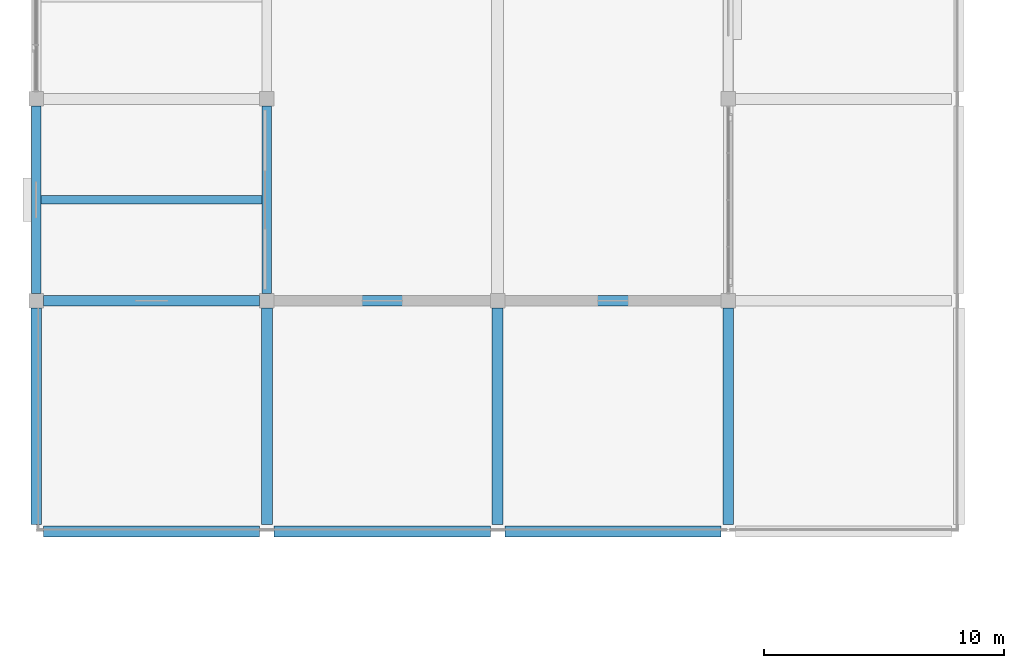
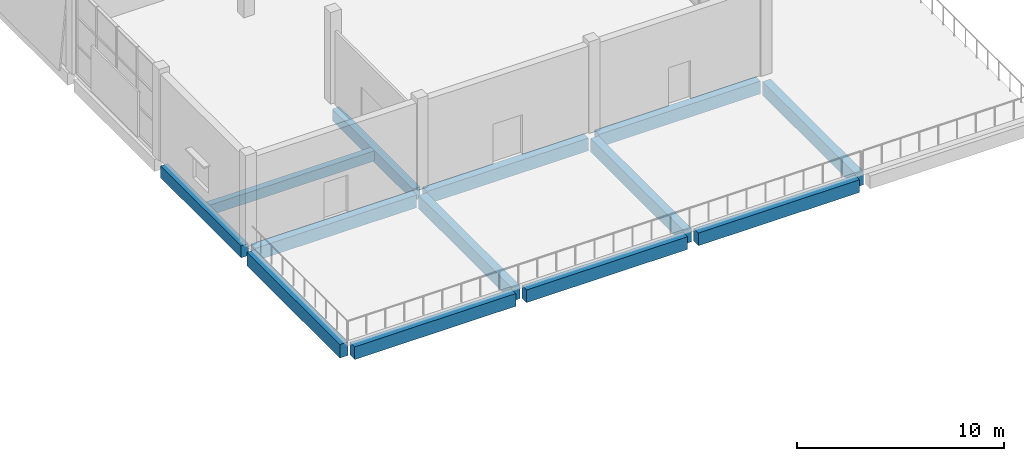
# One storey, part 14 of 72: 13 beams.
"""IFC4 building model written with IfcOpenShell, lengths in metres."""

from ifc_helpers import new_model, si_unit, direction, frame, origin, origin_2d, place, context, subcontext, project, spatial, rectangle, extrude, material, material_profile, profile_set, type_object, element, save


model = new_model("IFC4")

# Units and contexts
model_context = context("Model", 3, precision=1e-05, world=origin(), true_north=direction((0.0, 1.0)))
body_context = subcontext(model_context, "Body", "Model", "MODEL_VIEW")
ifc_project = project(units=[si_unit("LENGTHUNIT", "METRE"), si_unit("AREAUNIT", "SQUARE_METRE"), si_unit("VOLUMEUNIT", "CUBIC_METRE"), si_unit("PLANEANGLEUNIT", "RADIAN"), si_unit("MASSUNIT", "GRAM", prefix="KILO")], contexts=[model_context])

# Site, building, storey
site_placement = place(None, origin())
site = spatial("IfcSite", under=ifc_project, at=site_placement, CompositionType="ELEMENT")
building_placement = place(site_placement, origin())
building = spatial("IfcBuilding", under=site, at=building_placement, Name="Shalvenor Court Art Gallery", CompositionType="ELEMENT")
storey_placement = place(building_placement, frame((0.0, 0.0, 11.39990234375)))
storey = spatial("IfcBuildingStorey", under=building, at=storey_placement, Name="L02", CompositionType="ELEMENT", Elevation=11.39990234375)

# Beams
ifc_material_1 = material(Name="Concrete C40/50", Category="concrete")
ifc_material_profile_1 = material_profile(ifc_material_1, rectangle(XDim=0.449951171875, YDim=0.800048828125, at=origin_2d()), Name="RC 450x800")
ifc_profile_set_1 = profile_set([ifc_material_profile_1], Name="Concrete C40/50")
beam_type_1 = type_object("IfcBeamType", Name="B-03", PredefinedType="BEAM", material=ifc_profile_set_1)
for number, where, z_axis, x_axis, name in (
    (1, (0.0, 79.5, -0.719970703125), (0.0, 1.0, 0.0), (-1.0, 0.0, 0.0), "L02 Girder BM-L02-B-03-0690"),
    (2, (9.60009765625, 79.5, -0.719970703125), (0.0, 1.0, 0.0), (-1.0, 0.0, 0.0), "L02 Girder BM-L02-B-03-0697"),
    (3, (19.199951171875, 79.5, -0.719970703125), (0.0, 1.0, 0.0), (-1.0, 0.0, 0.0), "L02 Girder BM-L02-B-03-0705"),
    (4, (28.800048828125, 79.5, -0.719970703125), (0.0, 1.0, 0.0), (-1.0, 0.0, 0.0), "L02 Girder BM-L02-B-03-0710"),
):
    element("IfcBeam", number, at=place(storey_placement, frame(where, z_axis=z_axis, x_axis=x_axis)), inside=storey, type_object=beam_type_1, Name=name, PredefinedType="BEAM", context=body_context, shape_type="SweptSolid", body=[
        extrude(rectangle(XDim=0.449951171875, YDim=0.800048828125, at=origin_2d()), origin(), (0.0, 0.0, 1.0), 9.0),
    ])
ifc_material_2 = material(Name="Concrete C40/50", Category="concrete")
ifc_material_profile_2 = material_profile(ifc_material_2, rectangle(XDim=0.449951171875, YDim=0.75, at=origin_2d()), Name="RC 450x750")
ifc_profile_set_2 = profile_set([ifc_material_profile_2], Name="Concrete C40/50")
beam_type_2 = type_object("IfcBeamType", Name="B-04", PredefinedType="BEAM", material=ifc_profile_set_2)
for number, where, z_axis, x_axis, name in (
    (5, (0.300048828125, 79.199951171875, -0.69482421875), (1.0, 0.0, 0.0), (0.0, 1.0, 0.0), "L02 Girder BM-L02-B-04-0855"),
    (6, (9.89990234375, 79.199951171875, -0.69482421875), (1.0, 0.0, 0.0), (0.0, 1.0, 0.0), "L02 Girder BM-L02-B-04-0856"),
    (7, (19.5, 79.199951171875, -0.69482421875), (1.0, 0.0, 0.0), (0.0, 1.0, 0.0), "L02 Girder BM-L02-B-04-0857"),
    (8, (0.300048828125, 88.800048828125, -0.69482421875), (1.0, 0.0, 0.0), (0.0, 1.0, 0.0), "L02 Girder BM-L02-B-04-0863"),
    (9, (9.89990234375, 88.800048828125, -0.69482421875), (1.0, 0.0, 0.0), (0.0, 1.0, 0.0), "L02 Girder BM-L02-B-04-0864"),
    (10, (19.5, 88.800048828125, -0.69482421875), (1.0, 0.0, 0.0), (0.0, 1.0, 0.0), "L02 Girder BM-L02-B-04-0865"),
):
    element("IfcBeam", number, at=place(storey_placement, frame(where, z_axis=z_axis, x_axis=x_axis)), inside=storey, type_object=beam_type_2, Name=name, PredefinedType="BEAM", context=body_context, shape_type="SweptSolid", body=[
        extrude(rectangle(XDim=0.449951171875, YDim=0.75, at=origin_2d()), origin(), (0.0, 0.0, 1.0), 9.0),
    ])
ifc_material_3 = material(Name="Concrete C40/50", Category="concrete")
ifc_material_profile_3 = material_profile(ifc_material_3, rectangle(XDim=0.39990234375, YDim=0.699951171875, at=origin_2d()), Name="RC 400x700")
ifc_profile_set_3 = profile_set([ifc_material_profile_3], Name="Concrete C40/50")
beam_type_3 = type_object("IfcBeamType", Name="B-05", PredefinedType="BEAM", material=ifc_profile_set_3)
for number, where, z_axis, x_axis, name in (
    (11, (0.0, 89.10009765625, -0.669921875), (0.0, 1.0, 0.0), (-1.0, 0.0, 0.0), "L02 Girder BM-L02-B-05-0691"),
    (12, (9.60009765625, 89.10009765625, -0.669921875), (0.0, 1.0, 0.0), (-1.0, 0.0, 0.0), "L02 Girder BM-L02-B-05-0698"),
):
    element("IfcBeam", number, at=place(storey_placement, frame(where, z_axis=z_axis, x_axis=x_axis)), inside=storey, type_object=beam_type_3, Name=name, PredefinedType="BEAM", context=body_context, shape_type="SweptSolid", body=[
        extrude(rectangle(XDim=0.39990234375, YDim=0.699951171875, at=origin_2d()), origin(), (0.0, 0.0, 1.0), 7.7998046875),
    ])
ifc_material_4 = material(Name="Concrete C40/50", Category="concrete")
ifc_material_profile_4 = material_profile(ifc_material_4, rectangle(XDim=0.35009765625, YDim=0.60009765625, at=origin_2d()), Name="RC 350x600")
ifc_profile_set_4 = profile_set([ifc_material_profile_4], Name="Concrete C40/50")
beam_type_4 = type_object("IfcBeamType", Name="J-01", PredefinedType="JOIST", material=ifc_profile_set_4)
beam_placement = place(storey_placement, frame((0.199951171875, 93.0, -0.619873046875), z_axis=(1.0, 0.0, 0.0), x_axis=(0.0, 1.0, 0.0)))
element("IfcBeam", 13, at=beam_placement, inside=storey, type_object=beam_type_4, Name="L02 Secondary Beam JST-L02-J-01-0914", PredefinedType="JOIST", context=body_context, shape_type="SweptSolid", body=[
    extrude(rectangle(XDim=0.35009765625, YDim=0.60009765625, at=origin_2d()), origin(), (0.0, 0.0, 1.0), 9.199951171875),
])

save(model, "model.ifc")
